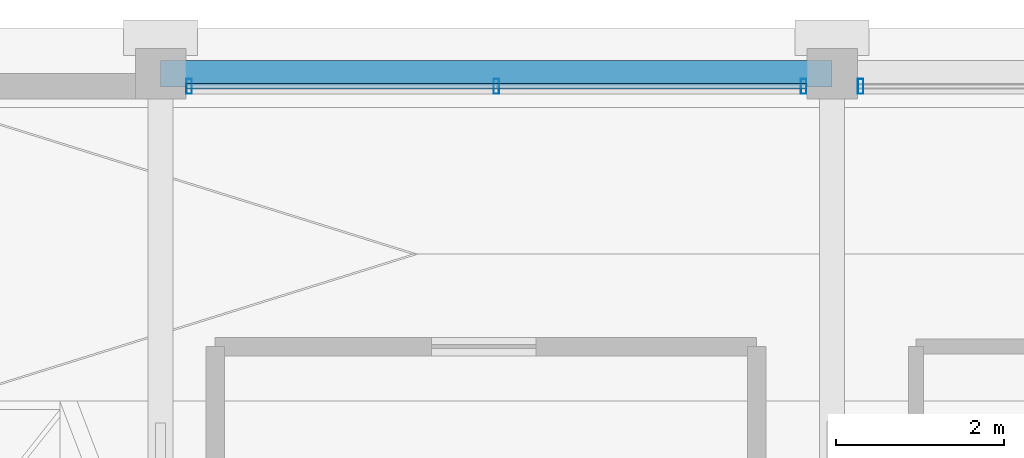
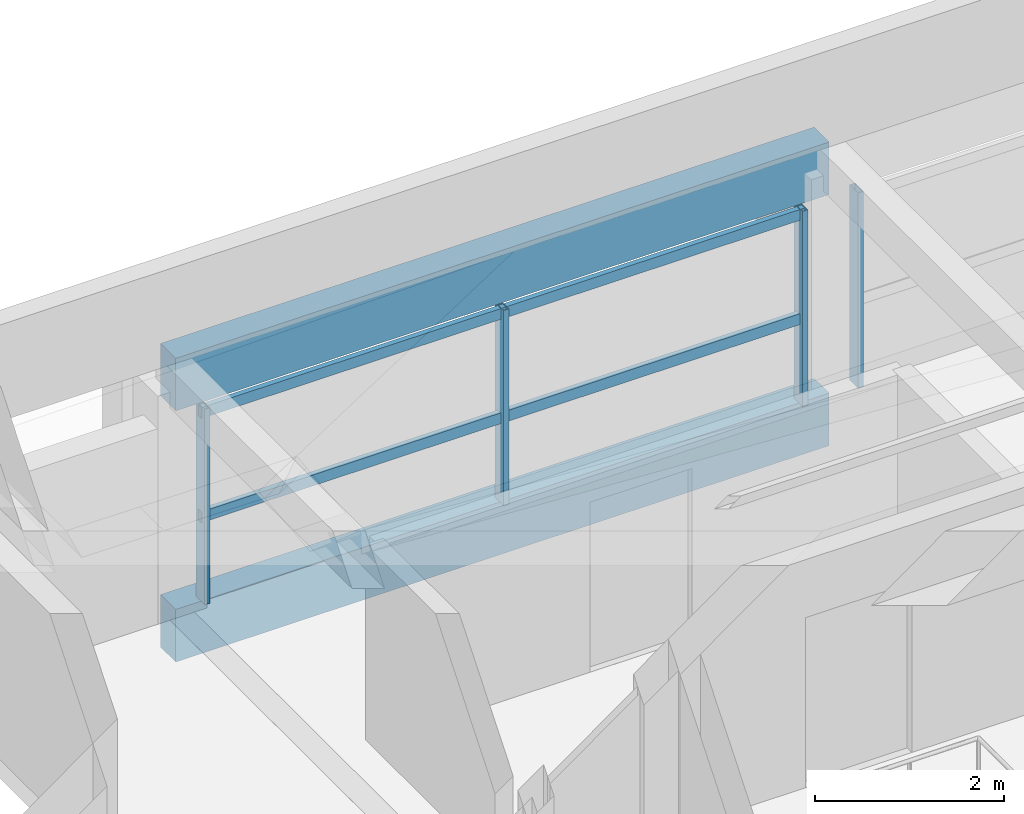
# One storey, part 20 of 39: 6 members, 2 beams, 2 elements without a shape of their own.
"""IFC4 building model written with IfcOpenShell, lengths in metres."""

from ifc_helpers import new_model, si_unit, direction, frame, origin, origin_2d, place, context, subcontext, project, spatial, rectangle, hollow_rectangle, extrude, material, material_profile, profile_set, type_object, element, aggregate, save


model = new_model("IFC4")

# Units and contexts
model_context = context("Model", 3, precision=1e-05, world=origin(), true_north=direction((0.0, 1.0)))
body_context = subcontext(model_context, "Body", "Model", "MODEL_VIEW")
ifc_project = project(units=[si_unit("LENGTHUNIT", "METRE"), si_unit("AREAUNIT", "SQUARE_METRE"), si_unit("VOLUMEUNIT", "CUBIC_METRE"), si_unit("PLANEANGLEUNIT", "RADIAN"), si_unit("MASSUNIT", "GRAM", prefix="KILO")], contexts=[model_context])

# Site, building, storey
site_placement = place(None, origin())
site = spatial("IfcSite", under=ifc_project, at=site_placement, CompositionType="ELEMENT")
building_placement = place(site_placement, origin())
building = spatial("IfcBuilding", under=site, at=building_placement, Name="Akrevak Sports Hall", CompositionType="ELEMENT")
storey_placement = place(building_placement, frame((0.0, 0.0, 66.550048828125)))
storey = spatial("IfcBuildingStorey", under=building, at=storey_placement, Name="L17", CompositionType="ELEMENT", Elevation=66.550048828125)

# Curtain wall, member
ifc_material_1 = material(Name="Anodized Bronze Aluminium & Low-E Glass", Category="aluminium")
curtain_wall_type = type_object("IfcCurtainWallType", Name="ARC-CW-TWR-68x30", PredefinedType="NOTDEFINED", material=ifc_material_1)
curtain_wall_1_placement = place(storey_placement, origin())
curtain_wall_1 = element("IfcCurtainWall", 1, at=curtain_wall_1_placement, inside=storey, type_object=curtain_wall_type, Name="Curtain Wall CW-L17-N21", PredefinedType="NOTDEFINED")
ifc_material_2 = material(Name="Anodized Bronze Aluminium", Category="aluminium")
ifc_material_profile_1 = material_profile(ifc_material_2, hollow_rectangle(XDim=0.06494140625, YDim=0.179931640625, WallThickness=0.00390625, at=origin_2d()), Name="CWM 65x180", Category="aluminium")
ifc_profile_set_1 = profile_set([ifc_material_profile_1], Name="Anodized Bronze Aluminium")
member_type_1 = type_object("IfcMemberType", Name="ARC-CWM-65x140", PredefinedType="MULLION", material=ifc_profile_set_1)
member_1_placement = place(storey_placement, frame((68.340087890625, 69.449951171875, 0.0), z_axis=(0.0, 0.0, 1.0), x_axis=(-1.0, 0.0, 0.0)))
member_1 = element("IfcMember", 2, at=member_1_placement, type_object=member_type_1, Name="Curtain Wall Mullion CW-L17-N21-M3", PredefinedType="MULLION", context=body_context, shape_type="SweptSolid", body=[
    extrude(hollow_rectangle(XDim=0.06494140625, YDim=0.179931640625, WallThickness=0.00390625, at=origin_2d()), origin(), (0.0, 0.0, 1.0), 2.530029296875),
])
aggregate(curtain_wall_1, [member_1])

# Curtain wall, members
curtain_wall_2_placement = place(storey_placement, origin())
curtain_wall_2 = element("IfcCurtainWall", 3, at=curtain_wall_2_placement, inside=storey, type_object=curtain_wall_type, Name="Curtain Wall CW-L17-N22", PredefinedType="NOTDEFINED")
member_2_placement = place(storey_placement, frame((67.659912109375, 69.449951171875, 0.0), z_axis=(0.0, 0.0, 1.0), x_axis=(-1.0, 0.0, 0.0)))
member_2 = element("IfcMember", 4, at=member_2_placement, type_object=member_type_1, Name="Curtain Wall Mullion CW-L17-N22-M1", PredefinedType="MULLION", context=body_context, shape_type="SweptSolid", body=[
    extrude(hollow_rectangle(XDim=0.06494140625, YDim=0.179931640625, WallThickness=0.00390625, at=origin_2d()), origin(), (0.0, 0.0, 1.0), 2.530029296875),
])
member_3_placement = place(storey_placement, frame((64.0, 69.449951171875, 0.0), z_axis=(0.0, 0.0, 1.0), x_axis=(-1.0, 0.0, 0.0)))
member_3 = element("IfcMember", 5, at=member_3_placement, type_object=member_type_1, Name="Curtain Wall Mullion CW-L17-N22-M2", PredefinedType="MULLION", context=body_context, shape_type="SweptSolid", body=[
    extrude(hollow_rectangle(XDim=0.06494140625, YDim=0.179931640625, WallThickness=0.00390625, at=origin_2d()), origin(), (0.0, 0.0, 1.0), 2.530029296875),
])
member_4_placement = place(storey_placement, frame((60.340087890625, 69.449951171875, 0.0), z_axis=(0.0, 0.0, 1.0), x_axis=(-1.0, 0.0, 0.0)))
member_4 = element("IfcMember", 6, at=member_4_placement, type_object=member_type_1, Name="Curtain Wall Mullion CW-L17-N22-M3", PredefinedType="MULLION", context=body_context, shape_type="SweptSolid", body=[
    extrude(hollow_rectangle(XDim=0.06494140625, YDim=0.179931640625, WallThickness=0.00390625, at=origin_2d()), origin(), (0.0, 0.0, 1.0), 2.530029296875),
])
ifc_material_profile_2 = material_profile(ifc_material_2, hollow_rectangle(XDim=0.06494140625, YDim=0.139892578125, WallThickness=0.00390625, at=origin_2d()), Name="CWT 65x140", Category="aluminium")
ifc_profile_set_2 = profile_set([ifc_material_profile_2], Name="Anodized Bronze Aluminium")
member_type_2 = type_object("IfcMemberType", Name="ARC-CWT-65x110", PredefinedType="USERDEFINED", material=ifc_profile_set_2)
member_5_placement = place(storey_placement, frame((67.699951171875, 69.449951171875, 1.099853515625), z_axis=(-1.0, 0.0, 0.0), x_axis=(0.0, -1.0, 0.0)))
member_5 = element("IfcMember", 7, at=member_5_placement, type_object=member_type_2, Name="Curtain Wall Transom CW-L17-N22-T1", ObjectType="TRANSOM", PredefinedType="USERDEFINED", context=body_context, shape_type="SweptSolid", body=[
    extrude(hollow_rectangle(XDim=0.06494140625, YDim=0.139892578125, WallThickness=0.00390625, at=origin_2d()), origin(), (0.0, 0.0, 1.0), 7.39990234375),
])
member_6_placement = place(storey_placement, frame((67.699951171875, 69.449951171875, 2.449951171875), z_axis=(-1.0, 0.0, 0.0), x_axis=(0.0, -1.0, 0.0)))
member_6 = element("IfcMember", 8, at=member_6_placement, type_object=member_type_2, Name="Curtain Wall Transom CW-L17-N22-T2", ObjectType="TRANSOM", PredefinedType="USERDEFINED", context=body_context, shape_type="SweptSolid", body=[
    extrude(hollow_rectangle(XDim=0.06494140625, YDim=0.139892578125, WallThickness=0.00390625, at=origin_2d()), origin(), (0.0, 0.0, 1.0), 7.39990234375),
])
aggregate(curtain_wall_2, [member_2, member_3, member_4, member_5, member_6])

# Beams
ifc_material_3 = material(Name="Concrete C40/50", Category="concrete")
ifc_material_profile_3 = material_profile(ifc_material_3, rectangle(XDim=0.320068359375, YDim=0.679931640625, at=origin_2d()), Name="SPD 320x680", Category="concrete")
ifc_profile_set_3 = profile_set([ifc_material_profile_3], Name="Concrete C40/50")
beam_type = type_object("IfcBeamType", Name="STR-SPD-RC320x680", PredefinedType="SPANDREL", material=ifc_profile_set_3)
for number, where, z_axis, x_axis, name in (
    (9, (60.0, 69.60009765625, -0.340087890625), (1.0, 0.0, 0.0), (0.0, 1.0, 0.0), "Girder K/9-10 (L17)"),
    (10, (60.0, 69.60009765625, 2.909912109375), (1.0, 0.0, 0.0), (0.0, 1.0, 0.0), "Girder K/9-10 (ROOF)"),
):
    element("IfcBeam", number, at=place(storey_placement, frame(where, z_axis=z_axis, x_axis=x_axis)), inside=storey, type_object=beam_type, Name=name, PredefinedType="SPANDREL", context=body_context, shape_type="SweptSolid", body=[
        extrude(rectangle(XDim=0.320068359375, YDim=0.679931640625, at=origin_2d()), origin(), (0.0, 0.0, 1.0), 8.0),
    ])

save(model, "model.ifc")
